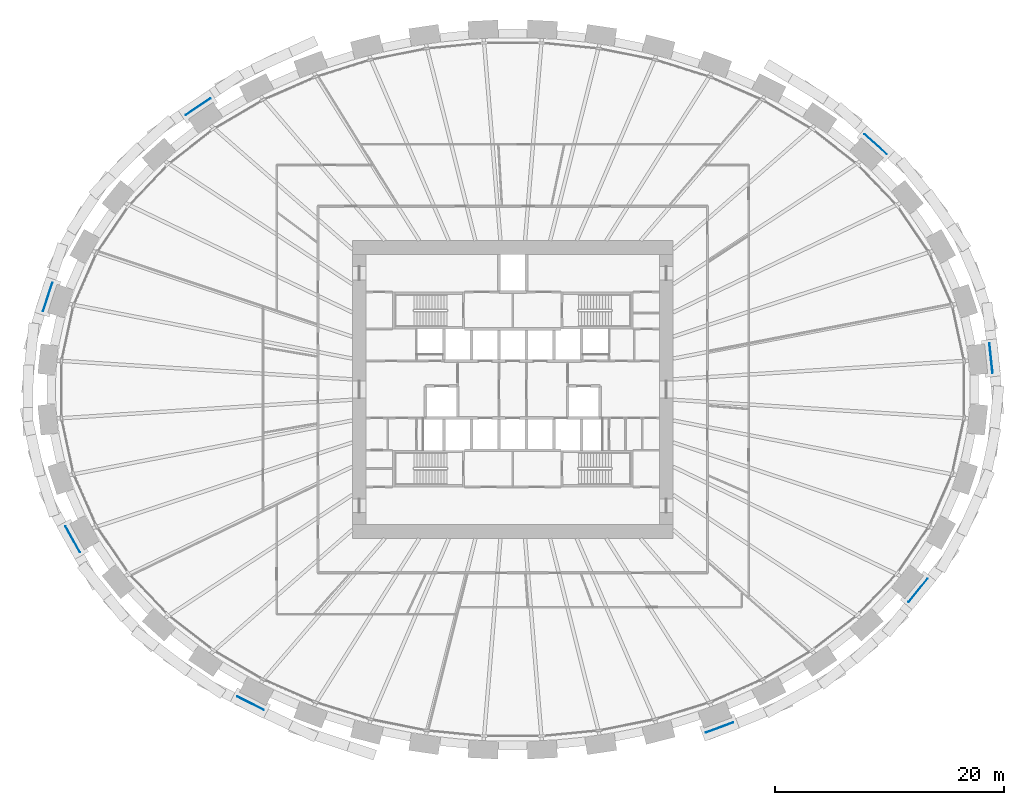
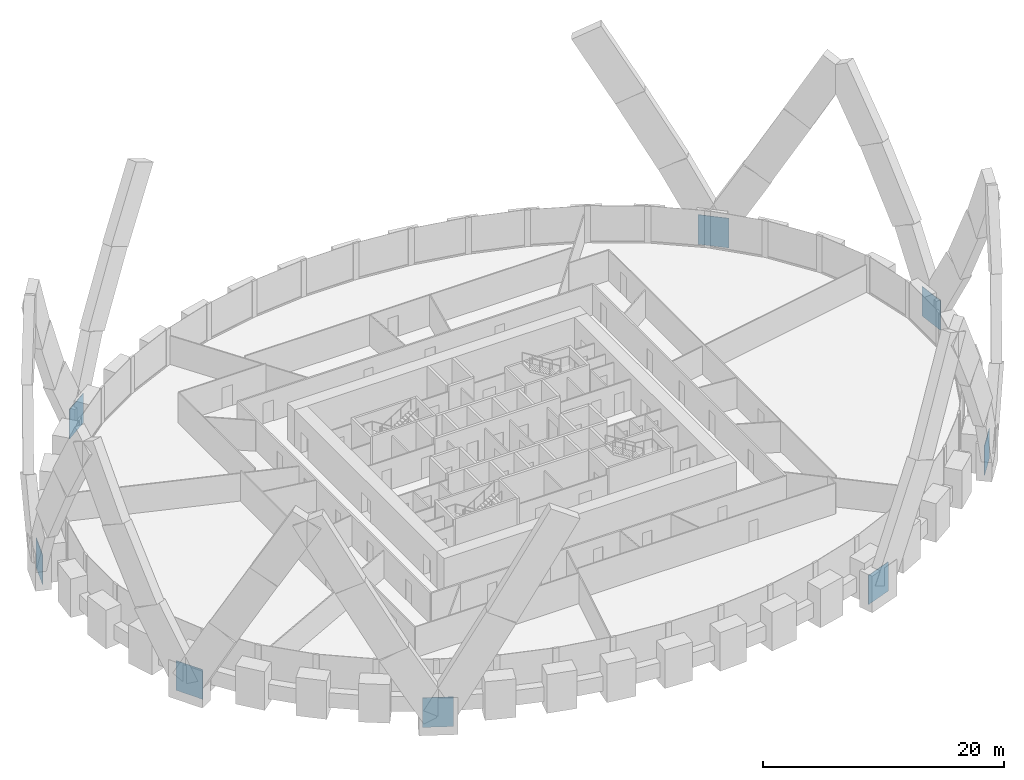
# One storey, part 11 of 12: 8 discrete accessories.
"""IFC4 building model written with IfcOpenShell, lengths in metres."""

from ifc_helpers import new_model, si_unit, direction, frame, origin, origin_2d, place, context, subcontext, project, spatial, rectangle, extrude, source, transform, mapped, material, type_object, element, save


model = new_model("IFC4")

# Units and contexts
model_context = context("Model", 3, precision=1e-05, world=origin(), true_north=direction((0.0, 1.0)))
body_context = subcontext(model_context, "Body", "Model", "MODEL_VIEW")
ifc_project = project(units=[si_unit("LENGTHUNIT", "METRE"), si_unit("AREAUNIT", "SQUARE_METRE"), si_unit("VOLUMEUNIT", "CUBIC_METRE"), si_unit("PLANEANGLEUNIT", "RADIAN"), si_unit("MASSUNIT", "GRAM", prefix="KILO")], contexts=[model_context])

# Site, building, storey
site_placement = place(None, origin())
site = spatial("IfcSite", under=ifc_project, at=site_placement, CompositionType="ELEMENT")
building_placement = place(site_placement, origin())
building = spatial("IfcBuilding", under=site, at=building_placement, Name="Embergate Tower", CompositionType="ELEMENT")
storey_placement = place(building_placement, frame((0.0, 0.0, 65.89990234375)))
storey = spatial("IfcBuildingStorey", under=building, at=storey_placement, Name="L12", CompositionType="ELEMENT", Elevation=65.89990234375)

# Discrete accessories
ifc_material = material(Name="Steel Q355D plate", Category="steel")
discrete_accessory_type = type_object("IfcDiscreteAccessoryType", Name="Lattice node plate", PredefinedType="USERDEFINED", material=ifc_material)
shared_shape_1 = source(origin(), body_context, "Body", "SweptSolid", [
    extrude(rectangle(XDim=2.56005859375, YDim=0.050048828125, at=origin_2d()), origin(), (0.0, 0.0, 1.0), 2.9599609375),
])
discrete_accessory_placement = place(storey_placement, frame((18.052001953125, -29.5, -1.47998046875), z_axis=(0.0, 0.0, 1.0), x_axis=(0.93736713373, 0.348343015724, 0.0)))
element("IfcDiscreteAccessory", 1, at=discrete_accessory_placement, inside=storey, type_object=discrete_accessory_type, Name="Node plate", ObjectType="BRACKET", PredefinedType="USERDEFINED", context=body_context, shape_type="MappedRepresentation", body=[
    mapped(shared_shape_1, transform((0.0, 0.0, 0.0))),
])
shared_shape_2 = source(origin(), body_context, "Body", "SweptSolid", [
    extrude(rectangle(XDim=2.60009765625, YDim=0.050048828125, at=origin_2d()), origin(), (0.0, 0.0, 1.0), 3.0),
])
for number, where, z_axis, x_axis, name in (
    (2, (41.7451171875, 2.738037109375, -1.5), (0.0, 0.0, 1.0), (-0.106749983816, 0.99428589498, 0.0), "Node plate"),
    (3, (31.674072265625, 21.409912109375, -1.5), (0.0, 0.0, 1.0), (-0.743063070206, 0.669221393633, 0.0), "Node plate"),
    (4, (-27.469970703125, 24.69189453125, -1.5), (0.0, 0.0, 1.0), (-0.828216862275, -0.560407734638, 0.0), "Node plate"),
    (5, (-40.595947265625, 8.0810546875, -1.5), (0.0, 0.0, 1.0), (-0.309946394413, -0.950754033697, 0.0), "Node plate"),
    (6, (-38.4130859375, -13.06103515625, -1.5), (0.0, 0.0, 1.0), (0.486823311018, -0.873500465855, 0.0), "Node plate"),
    (7, (-22.89599609375, -27.382080078125, -1.5), (0.0, 0.0, 1.0), (0.891505174089, -0.453010512651, 0.0), "Node plate"),
    (8, (35.3759765625, -17.527099609375, -1.5), (0.0, 0.0, 1.0), (0.630824786022, 0.775925311702, 0.0), "Node plate"),
):
    element("IfcDiscreteAccessory", number, at=place(storey_placement, frame(where, z_axis=z_axis, x_axis=x_axis)), inside=storey, type_object=discrete_accessory_type, Name=name, ObjectType="BRACKET", PredefinedType="USERDEFINED", context=body_context, shape_type="MappedRepresentation", body=[
        mapped(shared_shape_2, transform((0.0, 0.0, 0.0))),
    ])

save(model, "model.ifc")
